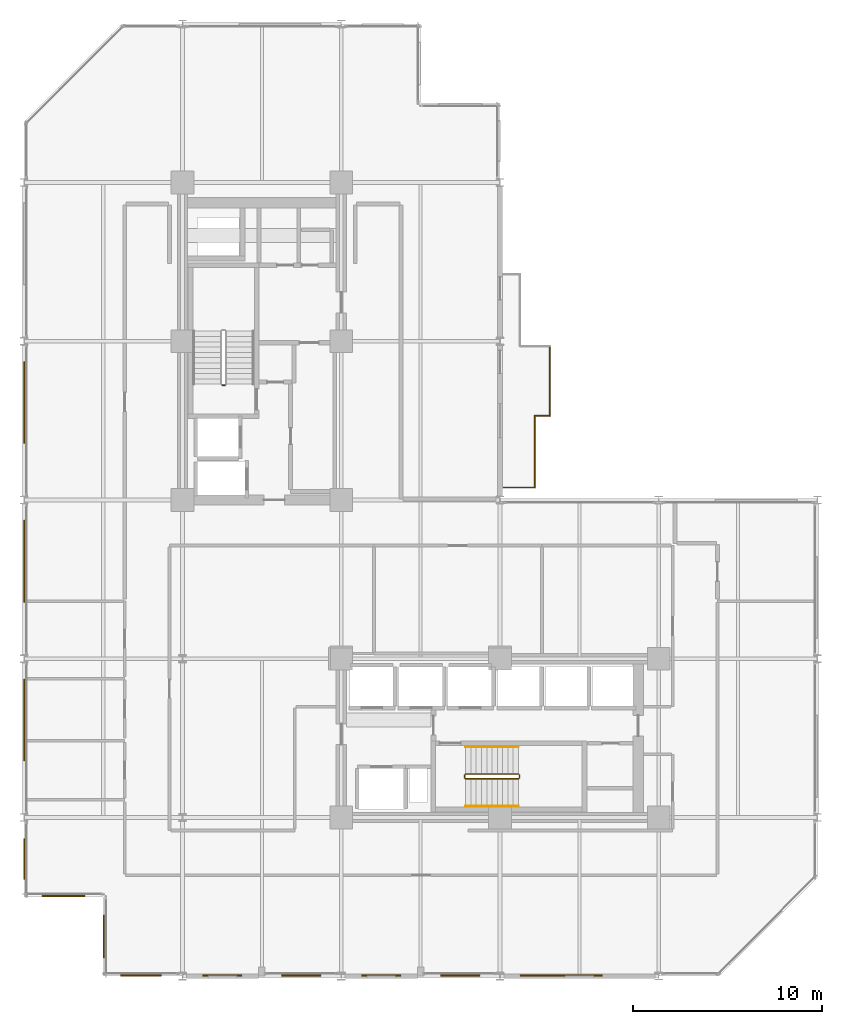
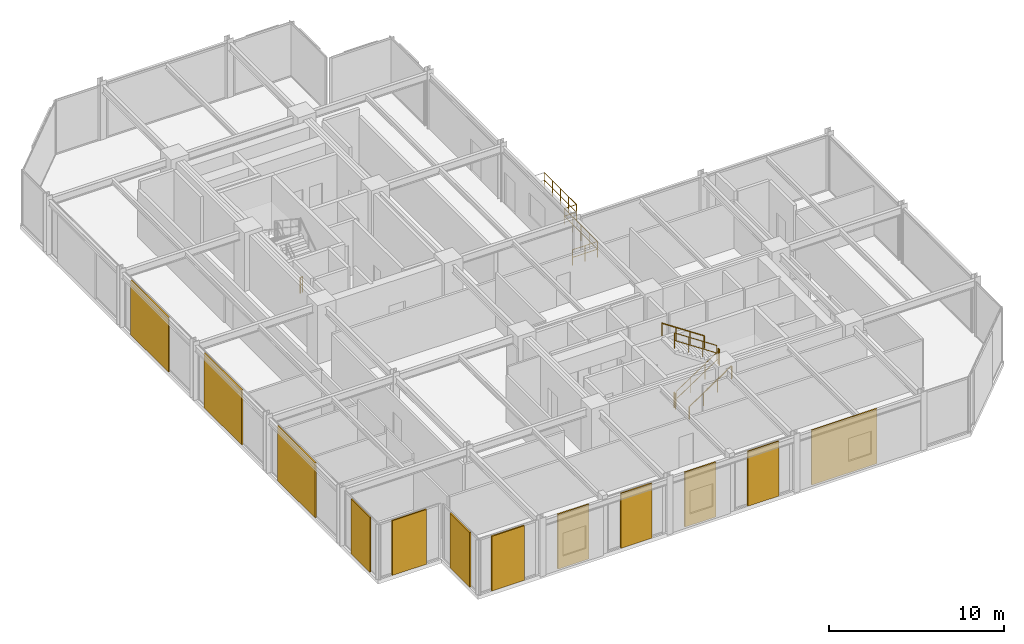
# One storey, part 27 of 29: 12 coverings, 11 railings.
"""IFC4 building model written with IfcOpenShell, lengths in metres."""

import ifcopenshell
import ifcopenshell.guid

model = None  # the IFC model being written
_history = None  # IfcOwnerHistory: only IFC2X3 demands one
_inside = {}  # id of a spatial element -> (the spatial element, [elements in it])
_under = {}  # id of a project, library or spatial element -> (it, [spatial elements below it])
_declared = {}  # id of a project -> (the project, [libraries it declares])
_typed = {}  # id of a type object -> (the type object, [elements of that type])
_made_of = {}  # id of a material, layer set ... -> (it, [elements and type objects made of it])


def new_model(schema):
    """Start an empty IFC model of exactly this schema.

    Asked for "IFC4X3", IfcOpenShell would pick the latest addendum, in which some entities
    have other attributes; the version numbers below select the first issue.
    IFC2X3 requires an IfcOwnerHistory on every rooted entity: one is made here for all.
    """
    global model, _history
    if schema == "IFC4X3":
        model = ifcopenshell.file(schema_version=(4, 3, 0, 0))
    else:
        model = ifcopenshell.file(schema=schema)
    _inside.clear()
    _under.clear()
    _declared.clear()
    _typed.clear()
    _made_of.clear()
    _history = None
    if model.schema == "IFC2X3":
        org = make("IfcOrganization", Name="unknown")
        user = make(
            "IfcPersonAndOrganization",
            ThePerson=make("IfcPerson", FamilyName="unknown"),
            TheOrganization=org,
        )
        app = make(
            "IfcApplication",
            ApplicationDeveloper=org,
            Version="unknown",
            ApplicationFullName="unknown",
            ApplicationIdentifier="unknown",
        )
        _history = make(
            "IfcOwnerHistory",
            OwningUser=user,
            OwningApplication=app,
            ChangeAction="ADDED",
            CreationDate=0,
        )
    return model


def make(cls, **values):
    """One entity of the class cls with the attributes given. An attribute that is None is left unset."""
    return model.create_entity(
        cls, **{name: value for name, value in values.items() if value is not None}
    )


def rooted(cls, **values):
    """An entity with a GlobalId (a new one), such as an element, a storey or a relation."""
    return make(cls, GlobalId=ifcopenshell.guid.new(), OwnerHistory=_history, **values)


def si_unit(unit_type, name, prefix=None):
    """IfcSIUnit, for example si_unit("LENGTHUNIT", "METRE", prefix="MILLI")."""
    return make("IfcSIUnit", UnitType=unit_type, Prefix=prefix, Name=name)


def assignment(units):
    """IfcUnitAssignment: the units of a project."""
    return None if units is None else make("IfcUnitAssignment", Units=units)


def point(xyz):
    """IfcCartesianPoint."""
    return None if xyz is None else make("IfcCartesianPoint", Coordinates=xyz)


def direction(xyz):
    """IfcDirection."""
    return None if xyz is None else make("IfcDirection", DirectionRatios=xyz)


def frame(location, z_axis=None, x_axis=None):
    """IfcAxis2Placement3D, a coordinate frame: its origin and axes. An axis left out is left unset."""
    return make(
        "IfcAxis2Placement3D",
        Location=point(location),
        Axis=direction(z_axis),
        RefDirection=direction(x_axis),
    )


def frame_2d(location, x_axis=None):
    """IfcAxis2Placement2D, a coordinate frame in the plane: its origin and x axis."""
    return make(
        "IfcAxis2Placement2D", Location=point(location), RefDirection=direction(x_axis)
    )


def origin():
    """The frame at (0, 0, 0) with its axes left unset."""
    return frame((0.0, 0.0, 0.0))


def origin_2d():
    """The frame at (0, 0) in the plane with its x axis left unset."""
    return frame_2d((0.0, 0.0))


def place(relative_to, where):
    """IfcLocalPlacement: puts the frame where relative to a parent placement (None: the world)."""
    return make(
        "IfcLocalPlacement", PlacementRelTo=relative_to, RelativePlacement=where
    )


def context(
    kind, dimensions, precision=None, world=None, true_north=None, identifier=None
):
    """IfcGeometricRepresentationContext, for example the 3D "Model" context."""
    return make(
        "IfcGeometricRepresentationContext",
        ContextIdentifier=identifier,
        ContextType=kind,
        CoordinateSpaceDimension=dimensions,
        Precision=precision,
        WorldCoordinateSystem=world,
        TrueNorth=true_north,
    )


def subcontext(parent, identifier, kind, view, scale=None):
    """IfcGeometricRepresentationSubContext, for example "Body" below "Model"."""
    return make(
        "IfcGeometricRepresentationSubContext",
        ContextIdentifier=identifier,
        ContextType=kind,
        ParentContext=parent,
        TargetScale=scale,
        TargetView=view,
    )


def project(units=None, contexts=None):
    """IfcProject with its units and contexts."""
    return rooted(
        "IfcProject",
        Name="project",
        RepresentationContexts=contexts,
        UnitsInContext=assignment(units),
    )


def spatial(cls, under=None, at=None, **own):
    """A site, building, storey or space (cls), placed at a placement, below another one or the project."""
    s = rooted(cls, ObjectPlacement=at, **own)
    if under is not None:
        _under.setdefault(under.id(), (under, []))[1].append(s)
    return s


def profile(cls, at=None, kind="AREA", **sizes):
    """A parametric profile (cls). Its sizes go by their IFC names, for example OverallWidth=200.0."""
    return make(cls, ProfileType=kind, Position=at, **sizes)


def rectangle(**sizes):
    """IfcRectangleProfileDef."""
    return profile("IfcRectangleProfileDef", **sizes)


def circle(**sizes):
    """IfcCircleProfileDef."""
    return profile("IfcCircleProfileDef", **sizes)


def extrude(swept, where, along, depth):
    """IfcExtrudedAreaSolid: the profile swept, set in the frame where, extruded along a direction by depth."""
    return make(
        "IfcExtrudedAreaSolid",
        SweptArea=swept,
        Position=where,
        ExtrudedDirection=direction(along),
        Depth=depth,
    )


def shape(context_of_items, identifier, shape_type, items):
    """IfcShapeRepresentation: the items that make up one representation, for example the "Body"."""
    return make(
        "IfcShapeRepresentation",
        ContextOfItems=context_of_items,
        RepresentationIdentifier=identifier,
        RepresentationType=shape_type,
        Items=items,
    )


def material(Name=None, Category=None):
    """IfcMaterial."""
    return make("IfcMaterial", Name=Name, Category=Category)


def layer(
    of_material, thickness, ventilated=None, Name=None, Category=None, Priority=None
):
    """IfcMaterialLayer: one layer of a wall or slab, of a material (None: an air gap)."""
    return make(
        "IfcMaterialLayer",
        Material=of_material,
        LayerThickness=thickness,
        IsVentilated=ventilated,
        Name=Name,
        Category=Category,
        Priority=Priority,
    )


def layer_set(layers, Name=None):
    """IfcMaterialLayerSet."""
    return make("IfcMaterialLayerSet", MaterialLayers=layers, LayerSetName=Name)


def made_of(thing, what):
    """Note that an element or type object is made of a material, layer set ...; save() writes the relation."""
    if what is not None:
        _made_of.setdefault(what.id(), (what, []))[1].append(thing)
    return thing


def type_object(cls, material=None, **own):
    """A type object (cls), such as IfcWallType, which elements share."""
    return made_of(rooted(cls, **own), material)


def element(
    cls,
    number,
    at=None,
    inside=None,
    cuts=None,
    type_object=None,
    material=None,
    context=None,
    identifier="Body",
    shape_type=None,
    held_by="IfcProductDefinitionShape",
    body=None,
    shapes=None,
    **own,
):
    """One element of the class cls, such as IfcWall. Its Tag is "e" and its number.

    at: its placement. inside: the storey or other place that contains it. cuts: it is an
    opening in that element (IfcRelVoidsElement). A single representation is given by context,
    identifier, shape_type and body (its items); several are given by shapes. held_by: the class
    of the entity that holds the representations. save() writes the other relations.
    """
    e = rooted(cls, Tag="e%d" % number, ObjectPlacement=at, **own)
    if body is not None:
        shapes = [shape(context, identifier, shape_type, body)]
    if shapes is not None:
        e.Representation = make(held_by, Representations=shapes)
    if inside is not None:
        _inside.setdefault(inside.id(), (inside, []))[1].append(e)
    if cuts is not None:
        rooted(
            "IfcRelVoidsElement", RelatingBuildingElement=cuts, RelatedOpeningElement=e
        )
    if type_object is not None:
        _typed.setdefault(type_object.id(), (type_object, []))[1].append(e)
    return made_of(e, material)


def aggregate(whole, parts):
    """IfcRelAggregates: a whole, such as a stair, and the parts it consists of."""
    return rooted("IfcRelAggregates", RelatingObject=whole, RelatedObjects=parts)


def save(model, path):
    """Write the relations noted so far, then the file.

    IfcRelAggregates (storeys below a building ...), IfcRelContainedInSpatialStructure (elements
    in a storey), IfcRelDefinesByType, IfcRelAssociatesMaterial and IfcRelDeclares: one each for
    every whole, place, type object, material and project.
    """
    for whole, parts in _under.values():
        aggregate(whole, parts)
    for where, things in _inside.values():
        rooted(
            "IfcRelContainedInSpatialStructure",
            RelatedElements=things,
            RelatingStructure=where,
        )
    for kind, things in _typed.values():
        rooted("IfcRelDefinesByType", RelatedObjects=things, RelatingType=kind)
    for what, things in _made_of.values():
        rooted("IfcRelAssociatesMaterial", RelatedObjects=things, RelatingMaterial=what)
    for by, libraries in _declared.values():
        rooted("IfcRelDeclares", RelatingContext=by, RelatedDefinitions=libraries)
    model.write(path)


model = new_model("IFC4")

# Units and contexts
model_context = context("Model", 3, precision=1e-05, world=origin(), true_north=direction((0.0, 1.0)))
body_context = subcontext(model_context, "Body", "Model", "MODEL_VIEW")
ifc_project = project(units=[si_unit("LENGTHUNIT", "METRE"), si_unit("AREAUNIT", "SQUARE_METRE"), si_unit("VOLUMEUNIT", "CUBIC_METRE"), si_unit("PLANEANGLEUNIT", "RADIAN"), si_unit("MASSUNIT", "GRAM", prefix="KILO")], contexts=[model_context])

# Site, building, storey
site_placement = place(None, origin())
site = spatial("IfcSite", under=ifc_project, at=site_placement, CompositionType="ELEMENT")
building_placement = place(site_placement, origin())
building = spatial("IfcBuilding", under=site, at=building_placement, Name="Nerrivon Quay Data Exchange", CompositionType="ELEMENT")
storey_placement = place(building_placement, frame((0.0, 0.0, 150.0)))
storey = spatial("IfcBuildingStorey", under=building, at=storey_placement, Name="L35", CompositionType="ELEMENT", Elevation=150.0)

# Coverings
ifc_material_1 = material(Name="Architectural terracotta ceramic", Category="masonry")
ifc_layer = layer(ifc_material_1, 0.090087890625)
ifc_layer_set = layer_set([ifc_layer], Name="Architectural terracotta ceramic")
covering_type = type_object("IfcCoveringType", Name="COV-SCR-TERR", PredefinedType="CLADDING", material=ifc_layer_set)
covering_1_placement = place(storey_placement, frame((28.43994140625, 0.044921875, 0.0), z_axis=(0.0, 0.0, 1.0), x_axis=(-1.0, 0.0, 0.0)))
element("IfcCovering", 1, at=covering_1_placement, inside=storey, type_object=covering_type, Name="L35 Perforated Terracotta SOLAR SCREEN Cassette", PredefinedType="CLADDING", context=body_context, shape_type="SweptSolid", body=[
    extrude(rectangle(XDim=4.320068359375, YDim=0.090087890625, at=origin_2d()), origin(), (0.0, 0.0, 1.0), 3.824951171875),
])
for number, where, z_axis, x_axis, name in (
    (2, (23.08740234375, 0.044921875, 0.0), (0.0, 0.0, 1.0), (-1.0, 0.0, 0.0), "L35 Perforated Terracotta SOLAR SCREEN Cassette"),
    (3, (18.91259765625, 0.044921875, 0.0), (0.0, 0.0, 1.0), (-1.0, 0.0, 0.0), "L35 Perforated Terracotta SOLAR SCREEN Cassette"),
):
    element("IfcCovering", number, at=place(storey_placement, frame(where, z_axis=z_axis, x_axis=x_axis)), inside=storey, type_object=covering_type, Name=name, PredefinedType="CLADDING", context=body_context, shape_type="SweptSolid", body=[
        extrude(rectangle(XDim=2.06494140625, YDim=0.090087890625, at=origin_2d()), origin(), (0.0, 0.0, 1.0), 3.824951171875),
    ])
for number, where, z_axis, x_axis, name in (
    (4, (14.6875, 0.044921875, 0.0), (0.0, 0.0, 1.0), (-1.0, 0.0, 0.0), "L35 Perforated Terracotta SOLAR SCREEN Cassette"),
    (5, (10.512451171875, 0.044921875, 0.0), (0.0, 0.0, 1.0), (-1.0, 0.0, 0.0), "L35 Perforated Terracotta SOLAR SCREEN Cassette"),
):
    element("IfcCovering", number, at=place(storey_placement, frame(where, z_axis=z_axis, x_axis=x_axis)), inside=storey, type_object=covering_type, Name=name, PredefinedType="CLADDING", context=body_context, shape_type="SweptSolid", body=[
        extrude(rectangle(XDim=2.06591796875, YDim=0.090087890625, at=origin_2d()), origin(), (0.0, 0.0, 1.0), 3.824951171875),
    ])
covering_2_placement = place(storey_placement, frame((6.199951171875, 0.044921875, 0.0), z_axis=(0.0, 0.0, 1.0), x_axis=(-1.0, 0.0, 0.0)))
element("IfcCovering", 6, at=covering_2_placement, inside=storey, type_object=covering_type, Name="L35 Perforated Terracotta SOLAR SCREEN Cassette", PredefinedType="CLADDING", context=body_context, shape_type="SweptSolid", body=[
    extrude(rectangle(XDim=2.159912109375, YDim=0.090087890625, at=origin_2d()), origin(), (0.0, 0.0, 1.0), 3.824951171875),
])
for number, where, z_axis, x_axis, name in (
    (7, (4.2451171875, 2.10009765625, 0.0), (0.0, 0.0, 1.0), (0.0, 1.0, 0.0), "L35 Perforated Terracotta SOLAR SCREEN Cassette"),
    (8, (2.10009765625, 4.2451171875, 0.0), (0.0, 0.0, 1.0), (-1.0, 0.0, 0.0), "L35 Perforated Terracotta SOLAR SCREEN Cassette"),
):
    element("IfcCovering", number, at=place(storey_placement, frame(where, z_axis=z_axis, x_axis=x_axis)), inside=storey, type_object=covering_type, Name=name, PredefinedType="CLADDING", context=body_context, shape_type="SweptSolid", body=[
        extrude(rectangle(XDim=2.26806640625, YDim=0.090087890625, at=origin_2d()), origin(), (0.0, 0.0, 1.0), 3.824951171875),
    ])
covering_3_placement = place(storey_placement, frame((0.044921875, 6.199951171875, 0.0), z_axis=(0.0, 0.0, 1.0), x_axis=(0.0, 1.0, 0.0)))
element("IfcCovering", 9, at=covering_3_placement, inside=storey, type_object=covering_type, Name="L35 Perforated Terracotta SOLAR SCREEN Cassette", PredefinedType="CLADDING", context=body_context, shape_type="SweptSolid", body=[
    extrude(rectangle(XDim=2.159912109375, YDim=0.090087890625, at=origin_2d()), origin(), (0.0, 0.0, 1.0), 3.824951171875),
])
for number, where, z_axis, x_axis, name in (
    (10, (0.044921875, 13.56005859375, 0.0), (0.0, 0.0, 1.0), (0.0, 1.0, 0.0), "L35 Perforated Terracotta SOLAR SCREEN Cassette"),
    (11, (0.044921875, 21.9599609375, 0.0), (0.0, 0.0, 1.0), (0.0, 1.0, 0.0), "L35 Perforated Terracotta SOLAR SCREEN Cassette"),
    (12, (0.044921875, 30.360107421875, 0.0), (0.0, 0.0, 1.0), (0.0, 1.0, 0.0), "L35 Perforated Terracotta SOLAR SCREEN Cassette"),
):
    element("IfcCovering", number, at=place(storey_placement, frame(where, z_axis=z_axis, x_axis=x_axis)), inside=storey, type_object=covering_type, Name=name, PredefinedType="CLADDING", context=body_context, shape_type="SweptSolid", body=[
        extrude(rectangle(XDim=4.320068359375, YDim=0.090087890625, at=origin_2d()), origin(), (0.0, 0.0, 1.0), 3.824951171875),
    ])

# Railings
ifc_material_2 = material(Name="Steel Grade C350L0 (350 MPa)", Category="steel")
railing_type_1 = type_object("IfcRailingType", Name="RAIL-GUARD-GR2", PredefinedType="BALUSTRADE", material=ifc_material_2)
railing_1_placement = place(storey_placement, frame((27.0400390625, 29.659912109375, 0.0)))
element("IfcRailing", 13, at=railing_1_placement, inside=storey, type_object=railing_type_1, Name="L35 Verandah Balcony Guard 1.1 1", PredefinedType="BALUSTRADE", context=body_context, shape_type="SweptSolid", body=[
    extrude(circle(Radius=0.02392578125, at=origin_2d()), frame((0.0, 0.0, 1.09619140625), z_axis=(0.0, -1.0, 0.0), x_axis=(1.0, 0.0, 0.0)), (0.0, 0.0, 1.0), 3.7998046875),
    extrude(circle(Radius=0.02392578125, at=origin_2d()), frame((0.0, 0.0, 0.56005859375), z_axis=(0.0, -1.0, 0.0), x_axis=(1.0, 0.0, 0.0)), (0.0, 0.0, 1.0), 3.7998046875),
    extrude(circle(Radius=0.02099609375, at=origin_2d()), origin(), (0.0, 0.0, 1.0), 1.072021484375),
    extrude(circle(Radius=0.02099609375, at=origin_2d()), frame((0.0, -0.949951171875, 0.0)), (0.0, 0.0, 1.0), 1.072021484375),
    extrude(circle(Radius=0.02099609375, at=origin_2d()), frame((0.0, -1.89990234375, 0.0)), (0.0, 0.0, 1.0), 1.072021484375),
    extrude(circle(Radius=0.02099609375, at=origin_2d()), frame((0.0, -2.849853515625, 0.0)), (0.0, 0.0, 1.0), 1.072021484375),
    extrude(circle(Radius=0.02099609375, at=origin_2d()), frame((0.0, -3.7998046875, 0.0)), (0.0, 0.0, 1.0), 1.072021484375),
])
railing_2_placement = place(storey_placement, frame((27.0400390625, 25.860107421875, 0.0)))
element("IfcRailing", 14, at=railing_2_placement, inside=storey, type_object=railing_type_1, Name="L35 Verandah Balcony Guard 1.2 1", PredefinedType="BALUSTRADE", context=body_context, shape_type="SweptSolid", body=[
    extrude(circle(Radius=0.02392578125, at=origin_2d()), frame((0.0, 0.0, 1.09619140625), z_axis=(-1.0, 0.0, 0.0), x_axis=(0.0, -1.0, 0.0)), (0.0, 0.0, 1.0), 1.66015625),
    extrude(circle(Radius=0.02392578125, at=origin_2d()), frame((0.0, 0.0, 0.56005859375), z_axis=(-1.0, 0.0, 0.0), x_axis=(0.0, -1.0, 0.0)), (0.0, 0.0, 1.0), 1.66015625),
    extrude(circle(Radius=0.02099609375, at=origin_2d()), origin(), (0.0, 0.0, 1.0), 1.072021484375),
    extrude(circle(Radius=0.02099609375, at=origin_2d()), frame((-0.830078125, 0.0, 0.0)), (0.0, 0.0, 1.0), 1.072021484375),
    extrude(circle(Radius=0.02099609375, at=origin_2d()), frame((-1.66015625, 0.0, 0.0)), (0.0, 0.0, 1.0), 1.072021484375),
])
railing_3_placement = place(storey_placement, frame((27.840087890625, 33.340087890625, 0.0)))
element("IfcRailing", 15, at=railing_3_placement, inside=storey, type_object=railing_type_1, Name="L35 Verandah Balcony Guard 1.6 1", PredefinedType="BALUSTRADE", context=body_context, shape_type="SweptSolid", body=[
    extrude(circle(Radius=0.02392578125, at=origin_2d()), frame((0.0, 0.0, 1.09619140625), z_axis=(0.0, -1.0, 0.0), x_axis=(1.0, 0.0, 0.0)), (0.0, 0.0, 1.0), 3.68017578125),
    extrude(circle(Radius=0.02392578125, at=origin_2d()), frame((0.0, 0.0, 0.56005859375), z_axis=(0.0, -1.0, 0.0), x_axis=(1.0, 0.0, 0.0)), (0.0, 0.0, 1.0), 3.68017578125),
    extrude(circle(Radius=0.02099609375, at=origin_2d()), origin(), (0.0, 0.0, 1.0), 1.072021484375),
    extrude(circle(Radius=0.02099609375, at=origin_2d()), frame((0.0, -0.919921875, 0.0)), (0.0, 0.0, 1.0), 1.072021484375),
    extrude(circle(Radius=0.02099609375, at=origin_2d()), frame((0.0, -1.840087890625, 0.0)), (0.0, 0.0, 1.0), 1.072021484375),
    extrude(circle(Radius=0.02099609375, at=origin_2d()), frame((0.0, -2.76025390625, 0.0)), (0.0, 0.0, 1.0), 1.072021484375),
    extrude(circle(Radius=0.02099609375, at=origin_2d()), frame((0.0, -3.68017578125, 0.0)), (0.0, 0.0, 1.0), 1.072021484375),
])
railing_4_placement = place(storey_placement, frame((27.840087890625, 29.659912109375, 0.0)))
element("IfcRailing", 16, at=railing_4_placement, inside=storey, type_object=railing_type_1, Name="L35 Verandah Balcony Guard 1.7 1", PredefinedType="BALUSTRADE", context=body_context, shape_type="SweptSolid", body=[
    extrude(circle(Radius=0.02392578125, at=origin_2d()), frame((0.0, 0.0, 1.09619140625), z_axis=(-1.0, 0.0, 0.0), x_axis=(0.0, -1.0, 0.0)), (0.0, 0.0, 1.0), 0.800048828125),
    extrude(circle(Radius=0.02392578125, at=origin_2d()), frame((0.0, 0.0, 0.56005859375), z_axis=(-1.0, 0.0, 0.0), x_axis=(0.0, -1.0, 0.0)), (0.0, 0.0, 1.0), 0.800048828125),
    extrude(circle(Radius=0.02099609375, at=origin_2d()), origin(), (0.0, 0.0, 1.0), 1.072021484375),
    extrude(circle(Radius=0.02099609375, at=origin_2d()), frame((-0.800048828125, 0.0, 0.0)), (0.0, 0.0, 1.0), 1.072021484375),
])
railing_type_2 = type_object("IfcRailingType", Name="RAIL-HAND-HR1", PredefinedType="HANDRAIL", material=ifc_material_2)
railing_5_placement = place(storey_placement, frame((23.3798828125, 9.0, 0.186279296875)))
element("IfcRailing", 17, at=railing_5_placement, inside=storey, type_object=railing_type_2, Name="L35 ST02 stair handrail 1", PredefinedType="HANDRAIL", context=body_context, shape_type="SweptSolid", body=[
    extrude(circle(Radius=0.02392578125, at=origin_2d()), frame((0.0, 0.0, 0.8759765625), z_axis=(0.832452072856, 0.0, 0.554097055034), x_axis=(0.0, 1.0, 0.0)), (0.0, 0.0, 1.0), 3.363525390625),
    extrude(circle(Radius=0.02099609375, at=origin_2d()), origin(), (0.0, 0.0, 1.0), 0.851806640625),
    extrude(circle(Radius=0.02099609375, at=origin_2d()), frame((0.933349609375, 0.0, 0.621337890625)), (0.0, 0.0, 1.0), 0.851806640625),
    extrude(circle(Radius=0.02099609375, at=origin_2d()), frame((1.86669921875, 0.0, 1.242431640625)), (0.0, 0.0, 1.0), 0.851806640625),
    extrude(circle(Radius=0.02099609375, at=origin_2d()), frame((2.800048828125, 0.0, 1.86376953125)), (0.0, 0.0, 1.0), 0.851806640625),
])
railing_6_placement = place(storey_placement, frame((26.179931640625, 12.14990234375, 2.236328125)))
element("IfcRailing", 18, at=railing_6_placement, inside=storey, type_object=railing_type_2, Name="L35 ST02 stair handrail 2", PredefinedType="HANDRAIL", context=body_context, shape_type="SweptSolid", body=[
    extrude(circle(Radius=0.02392578125, at=origin_2d()), frame((0.0, 0.0, 0.8759765625), z_axis=(-0.832452072856, 0.0, 0.554097055034), x_axis=(0.0, -1.0, 0.0)), (0.0, 0.0, 1.0), 3.363525390625),
    extrude(circle(Radius=0.02099609375, at=origin_2d()), origin(), (0.0, 0.0, 1.0), 0.851806640625),
    extrude(circle(Radius=0.02099609375, at=origin_2d()), frame((-0.933349609375, 0.0, 0.621337890625)), (0.0, 0.0, 1.0), 0.851806640625),
    extrude(circle(Radius=0.02099609375, at=origin_2d()), frame((-1.86669921875, 0.0, 1.242431640625)), (0.0, 0.0, 1.0), 0.851806640625),
    extrude(circle(Radius=0.02099609375, at=origin_2d()), frame((-2.800048828125, 0.0, 1.86376953125)), (0.0, 0.0, 1.0), 0.851806640625),
])
railing_type_3 = type_object("IfcRailingType", Name="RAIL-STAIR-GR1", PredefinedType="BALUSTRADE", material=ifc_material_2)
railing_7_placement = place(storey_placement, frame((10.64990234375, 31.280029296875, 0.0)))
element("IfcRailing", 19, at=railing_7_placement, inside=storey, type_object=railing_type_3, Name="L35 ST01 stair guard 4", PredefinedType="BALUSTRADE", context=body_context, shape_type="SweptSolid", body=[
    extrude(circle(Radius=0.02392578125, at=origin_2d()), frame((0.0, 0.0, 1.076171875), z_axis=(-1.0, 0.0, 0.0), x_axis=(0.0, -1.0, 0.0)), (0.0, 0.0, 1.0), 0.14990234375),
    extrude(circle(Radius=0.02392578125, at=origin_2d()), frame((0.0, 0.0, 0.550048828125), z_axis=(-1.0, 0.0, 0.0), x_axis=(0.0, -1.0, 0.0)), (0.0, 0.0, 1.0), 0.14990234375),
    extrude(circle(Radius=0.02099609375, at=origin_2d()), origin(), (0.0, 0.0, 1.0), 1.052001953125),
    extrude(circle(Radius=0.02099609375, at=origin_2d()), frame((-0.14990234375, 0.0, 0.0)), (0.0, 0.0, 1.0), 1.052001953125),
])
railing_8_placement = place(storey_placement, frame((23.3798828125, 10.449951171875, 0.186279296875)))
element("IfcRailing", 20, at=railing_8_placement, inside=storey, type_object=railing_type_3, Name="L35 ST02 stair guard 1", PredefinedType="BALUSTRADE", context=body_context, shape_type="SweptSolid", body=[
    extrude(circle(Radius=0.02392578125, at=origin_2d()), frame((0.0, 0.0, 1.076171875), z_axis=(0.832452072856, 0.0, 0.554097055034), x_axis=(0.0, 1.0, 0.0)), (0.0, 0.0, 1.0), 3.363525390625),
    extrude(circle(Radius=0.02392578125, at=origin_2d()), frame((0.0, 0.0, 0.550048828125), z_axis=(0.832452072856, 0.0, 0.554097055034), x_axis=(0.0, 1.0, 0.0)), (0.0, 0.0, 1.0), 3.363525390625),
    extrude(circle(Radius=0.02099609375, at=origin_2d()), origin(), (0.0, 0.0, 1.0), 1.052001953125),
    extrude(circle(Radius=0.02099609375, at=origin_2d()), frame((0.933349609375, 0.0, 0.621337890625)), (0.0, 0.0, 1.0), 1.052001953125),
    extrude(circle(Radius=0.02099609375, at=origin_2d()), frame((1.86669921875, 0.0, 1.242431640625)), (0.0, 0.0, 1.0), 1.052001953125),
    extrude(circle(Radius=0.02099609375, at=origin_2d()), frame((2.800048828125, 0.0, 1.86376953125)), (0.0, 0.0, 1.0), 1.052001953125),
])
railing_9_placement = place(storey_placement, frame((26.22998046875, 10.5, 2.050048828125)))
element("IfcRailing", 21, at=railing_9_placement, inside=storey, type_object=railing_type_3, Name="L35 ST02 stair guard 2", PredefinedType="BALUSTRADE", context=body_context, shape_type="SweptSolid", body=[
    extrude(circle(Radius=0.02392578125, at=origin_2d()), frame((0.0, 0.0, 1.076171875), z_axis=(0.0, 1.0, 0.0), x_axis=(-1.0, 0.0, 0.0)), (0.0, 0.0, 1.0), 0.14990234375),
    extrude(circle(Radius=0.02392578125, at=origin_2d()), frame((0.0, 0.0, 0.550048828125), z_axis=(0.0, 1.0, 0.0), x_axis=(-1.0, 0.0, 0.0)), (0.0, 0.0, 1.0), 0.14990234375),
    extrude(circle(Radius=0.02099609375, at=origin_2d()), origin(), (0.0, 0.0, 1.0), 1.052001953125),
    extrude(circle(Radius=0.02099609375, at=origin_2d()), frame((0.0, 0.14990234375, 0.0)), (0.0, 0.0, 1.0), 1.052001953125),
])
railing_10_placement = place(storey_placement, frame((26.179931640625, 10.699951171875, 2.236328125)))
element("IfcRailing", 22, at=railing_10_placement, inside=storey, type_object=railing_type_3, Name="L35 ST02 stair guard 3", PredefinedType="BALUSTRADE", context=body_context, shape_type="SweptSolid", body=[
    extrude(circle(Radius=0.02392578125, at=origin_2d()), frame((0.0, 0.0, 1.076171875), z_axis=(-0.832452072856, 0.0, 0.554097055034), x_axis=(0.0, -1.0, 0.0)), (0.0, 0.0, 1.0), 3.363525390625),
    extrude(circle(Radius=0.02392578125, at=origin_2d()), frame((0.0, 0.0, 0.550048828125), z_axis=(-0.832452072856, 0.0, 0.554097055034), x_axis=(0.0, -1.0, 0.0)), (0.0, 0.0, 1.0), 3.363525390625),
    extrude(circle(Radius=0.02099609375, at=origin_2d()), origin(), (0.0, 0.0, 1.0), 1.052001953125),
    extrude(circle(Radius=0.02099609375, at=origin_2d()), frame((-0.933349609375, 0.0, 0.621337890625)), (0.0, 0.0, 1.0), 1.052001953125),
    extrude(circle(Radius=0.02099609375, at=origin_2d()), frame((-1.86669921875, 0.0, 1.242431640625)), (0.0, 0.0, 1.0), 1.052001953125),
    extrude(circle(Radius=0.02099609375, at=origin_2d()), frame((-2.800048828125, 0.0, 1.86376953125)), (0.0, 0.0, 1.0), 1.052001953125),
])
railing_11_placement = place(storey_placement, frame((23.330078125, 10.5, 0.0)))
element("IfcRailing", 23, at=railing_11_placement, inside=storey, type_object=railing_type_3, Name="L35 ST02 stair guard 4", PredefinedType="BALUSTRADE", context=body_context, shape_type="SweptSolid", body=[
    extrude(circle(Radius=0.02392578125, at=origin_2d()), frame((0.0, 0.0, 1.076171875), z_axis=(0.0, 1.0, 0.0), x_axis=(-1.0, 0.0, 0.0)), (0.0, 0.0, 1.0), 0.14990234375),
    extrude(circle(Radius=0.02392578125, at=origin_2d()), frame((0.0, 0.0, 0.550048828125), z_axis=(0.0, 1.0, 0.0), x_axis=(-1.0, 0.0, 0.0)), (0.0, 0.0, 1.0), 0.14990234375),
    extrude(circle(Radius=0.02099609375, at=origin_2d()), origin(), (0.0, 0.0, 1.0), 1.052001953125),
    extrude(circle(Radius=0.02099609375, at=origin_2d()), frame((0.0, 0.14990234375, 0.0)), (0.0, 0.0, 1.0), 1.052001953125),
])

save(model, "model.ifc")
